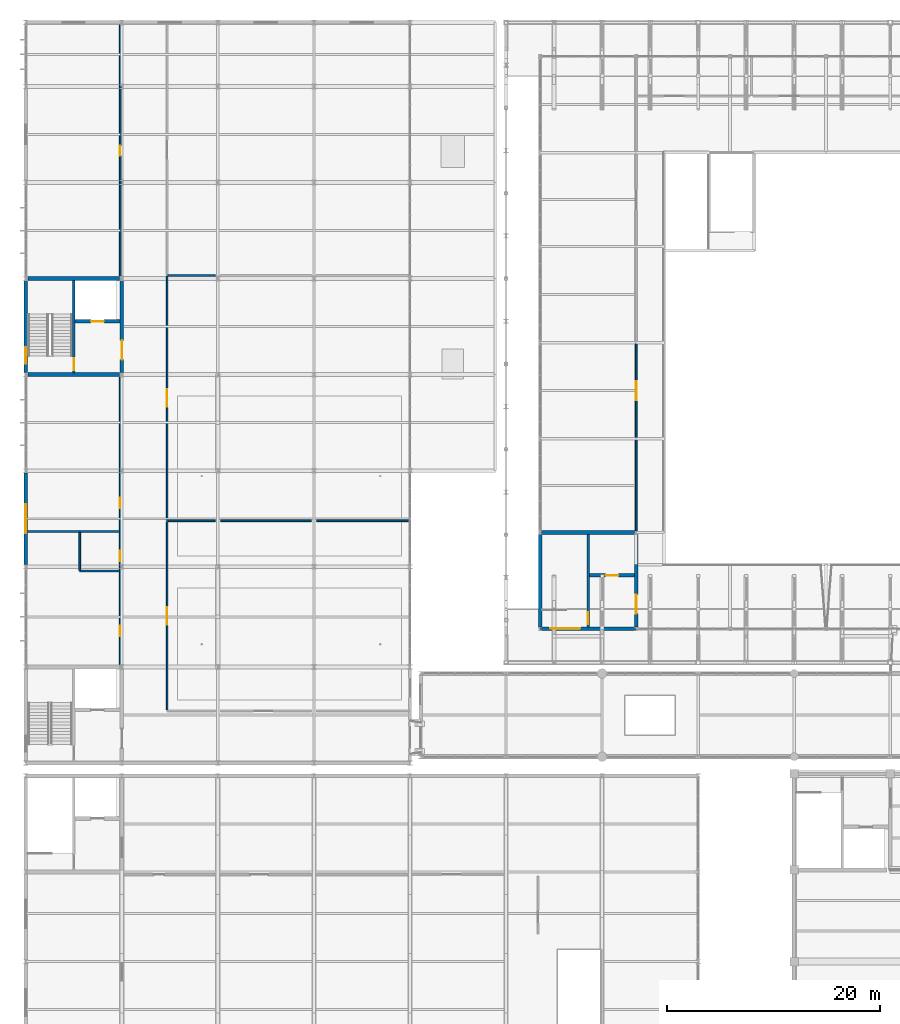
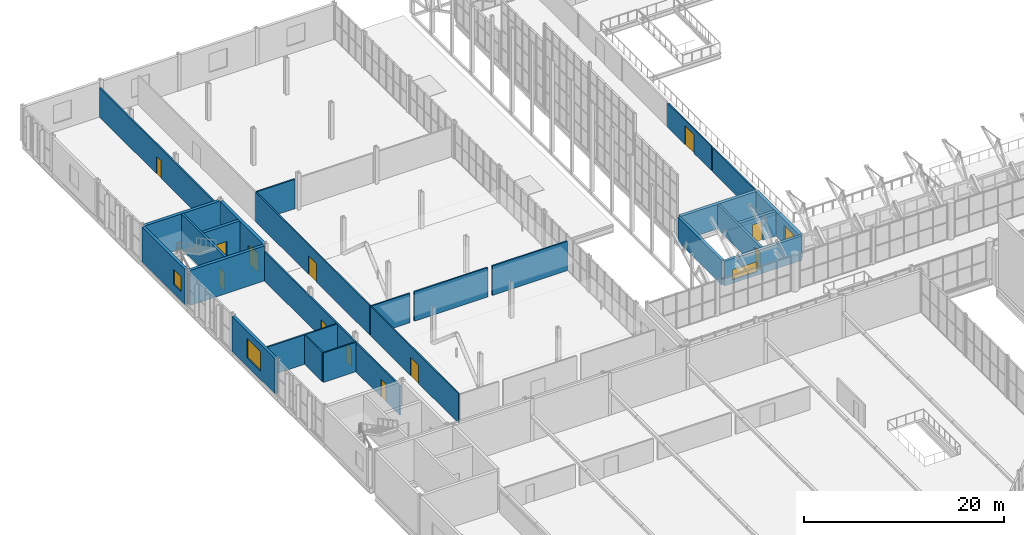
# One storey, part 114 of 134: 26 walls, 13 doors, 3 windows, 16 openings.
"""IFC4 building model written with IfcOpenShell, lengths in metres."""

from ifc_helpers import new_model, si_unit, direction, frame, frame_2d, origin, place, context, subcontext, project, spatial, rectangle, extrude, material, layer, layer_set, type_object, element, fill, save


model = new_model("IFC4")

# Units and contexts
model_context = context("Model", 3, precision=1e-05, world=origin(), true_north=direction((0.0, 1.0)))
body_context = subcontext(model_context, "Body", "Model", "MODEL_VIEW")
ifc_project = project(units=[si_unit("LENGTHUNIT", "METRE"), si_unit("AREAUNIT", "SQUARE_METRE"), si_unit("VOLUMEUNIT", "CUBIC_METRE"), si_unit("PLANEANGLEUNIT", "RADIAN"), si_unit("MASSUNIT", "GRAM", prefix="KILO")], contexts=[model_context])

# Site, building, storey
site_placement = place(None, origin())
site = spatial("IfcSite", under=ifc_project, at=site_placement, CompositionType="ELEMENT")
building_placement = place(site_placement, origin())
building = spatial("IfcBuilding", under=site, at=building_placement, Name="Cazmaro Siding Exhibition Halls", CompositionType="ELEMENT")
storey_placement = place(building_placement, frame((0.0, 0.0, 12.0)))
storey = spatial("IfcBuildingStorey", under=building, at=storey_placement, Name="L02", CompositionType="ELEMENT", Elevation=12.0)

# Wall, opening, window
ifc_material_1 = material(Name="Concrete f'c 45 MPa", Category="concrete")
ifc_layer_1 = layer(ifc_material_1, 0.320068359375)
ifc_layer_set_1 = layer_set([ifc_layer_1], Name="Concrete f'c 45 MPa")
wall_type_1 = type_object("IfcWallType", Name="EW-01", PredefinedType="STANDARD", material=ifc_layer_set_1)
wall_1_placement = place(storey_placement, frame((57.18798828125, 67.199951171875, 0.0), z_axis=(0.0, 0.0, 1.0), x_axis=(-1.0, 0.0, 0.0)))
wall_1 = element("IfcWall", 1, at=wall_1_placement, inside=storey, type_object=wall_type_1, Name="Hall A South Core Cap Wall EW-01 WL-E0003", PredefinedType="STANDARD", context=body_context, shape_type="SweptSolid", body=[
    extrude(rectangle(XDim=8.97607421875, YDim=0.320068359375, at=frame_2d((4.488037109375, 0.0))), origin(), (0.0, 0.0, 1.0), 3.0),
])
opening_1_placement = place(wall_1_placement, frame((5.22607421875, 0.0, 0.39990234375)))
opening_1 = element("IfcOpeningElement", 2, at=opening_1_placement, cuts=wall_1, Name="Opening W-002", PredefinedType="OPENING", context=body_context, shape_type="SweptSolid", body=[
    extrude(rectangle(XDim=2.800048828125, YDim=1.25, at=frame_2d((1.39990234375, 0.625))), frame((0.0, 0.169921875, 0.0), z_axis=(0.0, -1.0, 0.0), x_axis=(1.0, 0.0, 0.0)), (0.0, 0.0, 1.0), 0.340087890625),
])
ifc_material_2 = material(Name="Thermally Broken Aluminum Low-E Window Unit", Category="aluminium")
window_type_1 = type_object("IfcWindowType", Name="WT-19", PartitioningType="SINGLE_PANEL", PredefinedType="WINDOW", material=ifc_material_2)
window_1_placement = place(opening_1_placement, origin())
window_1 = element("IfcWindow", 3, at=window_1_placement, inside=storey, type_object=window_type_1, Name="Window W-002 (WT-19)", OverallHeight=1.25, OverallWidth=2.800048828125, PartitioningType="SINGLE_PANEL", PredefinedType="WINDOW", context=body_context, shape_type="SweptSolid", body=[
    extrude(rectangle(XDim=2.800048828125, YDim=1.25, at=frame_2d((1.39990234375, 0.625))), frame((0.0, 0.030029296875, 0.0), z_axis=(0.0, -1.0, 0.0), x_axis=(1.0, 0.0, 0.0)), (0.0, 0.0, 1.0), 0.06005859375),
])
fill(opening_1, window_1)

# Wall
wall_2_placement = place(storey_placement, frame((48.199951171875, 67.346923828125, 0.0), z_axis=(0.0, 0.0, 1.0), x_axis=(0.0, 1.0, 0.0)))
element("IfcWall", 4, at=wall_2_placement, inside=storey, type_object=wall_type_1, Name="Hall A Core End Wall L02 EW-01 WL-E0032", PredefinedType="STANDARD", context=body_context, shape_type="SweptSolid", body=[
    extrude(rectangle(XDim=8.72705078125, YDim=0.320068359375, at=frame_2d((4.363525390625, 0.0))), origin(), (0.0, 0.0, 1.0), 3.0),
])

# Wall, opening, window
wall_3_placement = place(storey_placement, frame((0.0, 73.194091796875, 0.0), z_axis=(0.0, 0.0, 1.0), x_axis=(0.0, 1.0, 0.0)))
wall_3 = element("IfcWall", 5, at=wall_3_placement, inside=storey, type_object=wall_type_1, Name="West Wing Street Pier Wall L02 EW-01 WL-E0282", PredefinedType="STANDARD", context=body_context, shape_type="SweptSolid", body=[
    extrude(rectangle(XDim=8.61181640625, YDim=0.320068359375, at=frame_2d((4.305908203125, 0.0))), origin(), (0.0, 0.0, 1.0), 4.280029296875),
])
opening_2_placement = place(wall_3_placement, frame((2.9560546875, 0.0, 1.0)))
opening_2 = element("IfcOpeningElement", 6, at=opening_2_placement, cuts=wall_3, Name="Opening W-089", PredefinedType="OPENING", context=body_context, shape_type="SweptSolid", body=[
    extrude(rectangle(XDim=2.699951171875, YDim=2.39990234375, at=frame_2d((1.35009765625, 1.199951171875))), frame((0.0, 0.169921875, 0.0), z_axis=(0.0, -1.0, 0.0), x_axis=(1.0, 0.0, 0.0)), (0.0, 0.0, 1.0), 0.340087890625),
])
ifc_material_3 = material(Name="Thermally Broken Aluminum Low-E Window Unit", Category="aluminium")
window_type_2 = type_object("IfcWindowType", Name="WT-09", PartitioningType="SINGLE_PANEL", PredefinedType="WINDOW", material=ifc_material_3)
window_2_placement = place(opening_2_placement, origin())
window_2 = element("IfcWindow", 7, at=window_2_placement, inside=storey, type_object=window_type_2, Name="Window W-089 (WT-09)", OverallHeight=2.39990234375, OverallWidth=2.699951171875, PartitioningType="SINGLE_PANEL", PredefinedType="WINDOW", context=body_context, shape_type="SweptSolid", body=[
    extrude(rectangle(XDim=2.699951171875, YDim=2.39990234375, at=frame_2d((1.35009765625, 1.199951171875))), frame((0.0, 0.030029296875, 0.0), z_axis=(0.0, -1.0, 0.0), x_axis=(1.0, 0.0, 0.0)), (0.0, 0.0, 1.0), 0.06005859375),
])
fill(opening_2, window_2)

wall_4_placement = place(storey_placement, frame((0.0, 91.194091796875, 0.0), z_axis=(0.0, 0.0, 1.0), x_axis=(0.0, 1.0, 0.0)))
wall_4 = element("IfcWall", 8, at=wall_4_placement, inside=storey, type_object=wall_type_1, Name="West Wing Core Street Wall L02 EW-01 WL-E0283", PredefinedType="STANDARD", context=body_context, shape_type="SweptSolid", body=[
    extrude(rectangle(XDim=8.61181640625, YDim=0.320068359375, at=frame_2d((4.305908203125, 0.0))), origin(), (0.0, 0.0, 1.0), 4.280029296875),
])
opening_3_placement = place(wall_4_placement, frame((0.85009765625, 0.0, 1.10009765625)))
opening_3 = element("IfcOpeningElement", 9, at=opening_3_placement, cuts=wall_4, Name="Opening W-090", PredefinedType="OPENING", context=body_context, shape_type="SweptSolid", body=[
    extrude(rectangle(XDim=1.5, YDim=1.800048828125, at=frame_2d((0.75, 0.89990234375))), frame((0.0, 0.169921875, 0.0), z_axis=(0.0, -1.0, 0.0), x_axis=(1.0, 0.0, 0.0)), (0.0, 0.0, 1.0), 0.340087890625),
])
ifc_material_4 = material(Name="Thermally Broken Aluminum Low-E Window Unit", Category="aluminium")
window_type_3 = type_object("IfcWindowType", Name="WT-01", PartitioningType="SINGLE_PANEL", PredefinedType="WINDOW", material=ifc_material_4)
window_3_placement = place(opening_3_placement, origin())
window_3 = element("IfcWindow", 10, at=window_3_placement, inside=storey, type_object=window_type_3, Name="Window W-090 (WT-01)", OverallHeight=1.800048828125, OverallWidth=1.5, PartitioningType="SINGLE_PANEL", PredefinedType="WINDOW", context=body_context, shape_type="SweptSolid", body=[
    extrude(rectangle(XDim=1.5, YDim=1.800048828125, at=frame_2d((0.75, 0.89990234375))), frame((0.0, 0.030029296875, 0.0), z_axis=(0.0, -1.0, 0.0), x_axis=(1.0, 0.0, 0.0)), (0.0, 0.0, 1.0), 0.06005859375),
])
fill(opening_3, window_3)

# Wall, opening, door
ifc_material_5 = material(Name="Fire-Rated Gypsum Board on Cold-Formed Steel Studs", Category="steel")
ifc_layer_2 = layer(ifc_material_5, 0.14501953125)
ifc_layer_set_2 = layer_set([ifc_layer_2], Name="Fire-Rated Gypsum Board on Cold-Formed Steel Studs")
wall_type_2 = type_object("IfcWallType", Name="PW-01", PredefinedType="PARTITIONING", material=ifc_layer_set_2)
wall_5_placement = place(storey_placement, frame((13.25, 59.580078125, 0.0), z_axis=(0.0, 0.0, 1.0), x_axis=(0.0, 1.0, 0.0)))
wall_5 = element("IfcWall", 11, at=wall_5_placement, inside=storey, type_object=wall_type_2, Name="West Wing East Corridor Wall L02 PW-01 WL-I0243", PredefinedType="PARTITIONING", context=body_context, shape_type="SweptSolid", body=[
    extrude(rectangle(XDim=17.639892578125, YDim=0.14501953125, at=frame_2d((8.81982421875, 0.0))), origin(), (0.0, 0.0, 1.0), 3.60009765625),
])
opening_4_placement = place(wall_5_placement, frame((7.9951171875, 0.0, 0.0)))
opening_4 = element("IfcOpeningElement", 12, at=opening_4_placement, cuts=wall_5, Name="Opening D-I114", PredefinedType="OPENING", context=body_context, shape_type="SweptSolid", body=[
    extrude(rectangle(XDim=1.64990234375, YDim=2.25, at=frame_2d((0.824951171875, 1.125))), frame((0.0, 0.08251953125, 0.0), z_axis=(0.0, -1.0, 0.0), x_axis=(1.0, 0.0, 0.0)), (0.0, 0.0, 1.0), 0.1650390625),
])
ifc_material_6 = material(Name="Fire-Rated Painted Hollow Metal Door", Category="steel")
door_type_1 = type_object("IfcDoorType", Name="ID-05", OperationType="DOUBLE_DOOR_SINGLE_SWING", PredefinedType="DOOR", material=ifc_material_6)
door_1_placement = place(opening_4_placement, origin())
door_1 = element("IfcDoor", 13, at=door_1_placement, inside=storey, type_object=door_type_1, Name="Interior door D-I114 (ID-05)", OperationType="DOUBLE_DOOR_SINGLE_SWING", OverallHeight=2.25, OverallWidth=1.64990234375, PredefinedType="DOOR", context=body_context, shape_type="SweptSolid", body=[
    extrude(rectangle(XDim=1.64990234375, YDim=2.25, at=frame_2d((0.824951171875, 1.125))), frame((0.0, 0.02490234375, 0.0), z_axis=(0.0, -1.0, 0.0), x_axis=(1.0, 0.0, 0.0)), (0.0, 0.0, 1.0), 0.050048828125),
])
fill(opening_4, door_1)

wall_6_placement = place(storey_placement, frame((13.25, 77.3798828125, 0.0), z_axis=(0.0, 0.0, 1.0), x_axis=(0.0, 1.0, 0.0)))
wall_6 = element("IfcWall", 14, at=wall_6_placement, inside=storey, type_object=wall_type_2, Name="West Wing East Corridor Wall L02 PW-01 WL-I0244", PredefinedType="PARTITIONING", context=body_context, shape_type="SweptSolid", body=[
    extrude(rectangle(XDim=22.840087890625, YDim=0.14501953125, at=frame_2d((11.419921875, 0.0))), origin(), (0.0, 0.0, 1.0), 3.60009765625),
])
opening_5_placement = place(wall_6_placement, frame((10.594970703125, 0.0, 0.0)))
opening_5 = element("IfcOpeningElement", 15, at=opening_5_placement, cuts=wall_6, Name="Opening D-I115", PredefinedType="OPENING", context=body_context, shape_type="SweptSolid", body=[
    extrude(rectangle(XDim=1.64990234375, YDim=2.25, at=frame_2d((0.824951171875, 1.125))), frame((0.0, 0.08251953125, 0.0), z_axis=(0.0, -1.0, 0.0), x_axis=(1.0, 0.0, 0.0)), (0.0, 0.0, 1.0), 0.1650390625),
])
door_2_placement = place(opening_5_placement, origin())
door_2 = element("IfcDoor", 16, at=door_2_placement, inside=storey, type_object=door_type_1, Name="Interior door D-I115 (ID-05)", OperationType="DOUBLE_DOOR_SINGLE_SWING", OverallHeight=2.25, OverallWidth=1.64990234375, PredefinedType="DOOR", context=body_context, shape_type="SweptSolid", body=[
    extrude(rectangle(XDim=1.64990234375, YDim=2.25, at=frame_2d((0.824951171875, 1.125))), frame((0.0, 0.02490234375, 0.0), z_axis=(0.0, -1.0, 0.0), x_axis=(1.0, 0.0, 0.0)), (0.0, 0.0, 1.0), 0.050048828125),
])
fill(opening_5, door_2)

# Wall
wall_7_placement = place(storey_placement, frame((57.199951171875, 76.326904296875, 0.0), z_axis=(0.0, 0.0, 1.0), x_axis=(0.0, 1.0, 0.0)))
element("IfcWall", 17, at=wall_7_placement, inside=storey, type_object=wall_type_2, Name="Hall A West Mezzanine Lounge Wall L02 PW-01 WL-I0313", PredefinedType="PARTITIONING", context=body_context, shape_type="SweptSolid", body=[
    extrude(rectangle(XDim=8.546142578125, YDim=0.14501953125, at=frame_2d((4.27294921875, 0.0))), origin(), (0.0, 0.0, 1.0), 2.949951171875),
])

# Wall, opening, door
wall_8_placement = place(storey_placement, frame((57.199951171875, 85.126953125, 0.0), z_axis=(0.0, 0.0, 1.0), x_axis=(0.0, 1.0, 0.0)))
wall_8 = element("IfcWall", 18, at=wall_8_placement, inside=storey, type_object=wall_type_2, Name="Hall A West Mezzanine Lounge Wall L02 PW-01 WL-I0315", PredefinedType="PARTITIONING", context=body_context, shape_type="SweptSolid", body=[
    extrude(rectangle(XDim=8.74609375, YDim=0.14501953125, at=frame_2d((4.373046875, 0.0))), origin(), (0.0, 0.0, 1.0), 2.949951171875),
])
opening_6_placement = place(wall_8_placement, frame((3.472900390625, 0.0, 0.0)))
opening_6 = element("IfcOpeningElement", 19, at=opening_6_placement, cuts=wall_8, Name="Opening D-I150", PredefinedType="OPENING", context=body_context, shape_type="SweptSolid", body=[
    extrude(rectangle(XDim=1.800048828125, YDim=2.300048828125, at=frame_2d((0.89990234375, 1.14990234375))), frame((0.0, 0.08251953125, 0.0), z_axis=(0.0, -1.0, 0.0), x_axis=(1.0, 0.0, 0.0)), (0.0, 0.0, 1.0), 0.1650390625),
])
ifc_material_7 = material(Name="Fire-Rated Painted Hollow Metal Door", Category="steel")
door_type_2 = type_object("IfcDoorType", Name="ID-02", OperationType="DOUBLE_DOOR_SINGLE_SWING", PredefinedType="DOOR", material=ifc_material_7)
door_3_placement = place(opening_6_placement, origin())
door_3 = element("IfcDoor", 20, at=door_3_placement, inside=storey, type_object=door_type_2, Name="Interior door D-I150 (ID-02)", OperationType="DOUBLE_DOOR_SINGLE_SWING", OverallHeight=2.300048828125, OverallWidth=1.800048828125, PredefinedType="DOOR", context=body_context, shape_type="SweptSolid", body=[
    extrude(rectangle(XDim=1.800048828125, YDim=2.300048828125, at=frame_2d((0.89990234375, 1.14990234375))), frame((0.0, 0.02490234375, 0.0), z_axis=(0.0, -1.0, 0.0), x_axis=(1.0, 0.0, 0.0)), (0.0, 0.0, 1.0), 0.050048828125),
])
fill(opening_6, door_3)

# Walls
ifc_material_8 = material(Name="Moisture-Resistant Gypsum Board on Acoustic Steel Studs", Category="steel")
ifc_layer_3 = layer(ifc_material_8, 0.1650390625)
ifc_layer_set_3 = layer_set([ifc_layer_3], Name="Moisture-Resistant Gypsum Board on Acoustic Steel Studs")
wall_type_3 = type_object("IfcWallType", Name="PW-02", PredefinedType="PARTITIONING", material=ifc_layer_set_3)
wall_9_placement = place(storey_placement, frame((13.320068359375, 77.300048828125, 0.0), z_axis=(0.0, 0.0, 1.0), x_axis=(1.0, 0.0, 0.0)))
element("IfcWall", 21, at=wall_9_placement, inside=storey, type_object=wall_type_3, Name="West Wing East Room Divider L02 PW-02 WL-I0246", PredefinedType="PARTITIONING", context=body_context, shape_type="SweptSolid", body=[
    extrude(rectangle(XDim=4.429931640625, YDim=0.1650390625, at=frame_2d((2.21484375, 0.0))), origin(), (0.0, 0.0, 1.0), 3.60009765625),
])
wall_10_placement = place(storey_placement, frame((18.25, 77.300048828125, 0.0), z_axis=(0.0, 0.0, 1.0), x_axis=(1.0, 0.0, 0.0)))
element("IfcWall", 22, at=wall_10_placement, inside=storey, type_object=wall_type_3, Name="West Wing East Room Divider L02 PW-02 WL-I0247", PredefinedType="PARTITIONING", context=body_context, shape_type="SweptSolid", body=[
    extrude(rectangle(XDim=8.5, YDim=0.1650390625, at=frame_2d((4.25, 0.0))), origin(), (0.0, 0.0, 1.0), 3.60009765625),
])
wall_11_placement = place(storey_placement, frame((27.25, 77.300048828125, 0.0), z_axis=(0.0, 0.0, 1.0), x_axis=(1.0, 0.0, 0.0)))
element("IfcWall", 23, at=wall_11_placement, inside=storey, type_object=wall_type_3, Name="West Wing East Room Divider L02 PW-02 WL-I0248", PredefinedType="PARTITIONING", context=body_context, shape_type="SweptSolid", body=[
    extrude(rectangle(XDim=8.68994140625, YDim=0.1650390625, at=frame_2d((4.344970703125, 0.0))), origin(), (0.0, 0.0, 1.0), 3.60009765625),
])
wall_12_placement = place(storey_placement, frame((13.320068359375, 100.300048828125, 0.0), z_axis=(0.0, 0.0, 1.0), x_axis=(1.0, 0.0, 0.0)))
element("IfcWall", 24, at=wall_12_placement, inside=storey, type_object=wall_type_3, Name="West Wing East Room Divider L02 PW-02 WL-I0249", PredefinedType="PARTITIONING", context=body_context, shape_type="SweptSolid", body=[
    extrude(rectangle(XDim=4.429931640625, YDim=0.1650390625, at=frame_2d((2.21484375, 0.0))), origin(), (0.0, 0.0, 1.0), 3.60009765625),
])

# Wall, openings, doors
wall_13_placement = place(storey_placement, frame((8.85009765625, 63.780029296875, 0.0), z_axis=(0.0, 0.0, 1.0), x_axis=(0.0, 1.0, 0.0)))
wall_13 = element("IfcWall", 25, at=wall_13_placement, inside=storey, type_object=wall_type_3, Name="West Wing West Service Wall L02 PW-02 WL-I0252", PredefinedType="PARTITIONING", context=body_context, shape_type="SweptSolid", body=[
    extrude(rectangle(XDim=27.0400390625, YDim=0.1650390625, at=frame_2d((13.52001953125, 0.0))), origin(), (0.0, 0.0, 1.0), 3.60009765625),
])
opening_7_placement = place(wall_13_placement, frame((2.719970703125, 0.0, 0.0)))
opening_7 = element("IfcOpeningElement", 26, at=opening_7_placement, cuts=wall_13, Name="Opening D-I117", PredefinedType="OPENING", context=body_context, shape_type="SweptSolid", body=[
    extrude(rectangle(XDim=0.97998046875, YDim=2.14990234375, at=frame_2d((0.489990234375, 1.074951171875))), frame((0.0, 0.092529296875, 0.0), z_axis=(0.0, -1.0, 0.0), x_axis=(1.0, 0.0, 0.0)), (0.0, 0.0, 1.0), 0.18505859375),
])
opening_8_placement = place(wall_13_placement, frame((9.719970703125, 0.0, 0.0)))
opening_8 = element("IfcOpeningElement", 27, at=opening_8_placement, cuts=wall_13, Name="Opening D-I118", PredefinedType="OPENING", context=body_context, shape_type="SweptSolid", body=[
    extrude(rectangle(XDim=1.02001953125, YDim=2.159912109375, at=frame_2d((0.510009765625, 1.080078125))), frame((0.0, 0.092529296875, 0.0), z_axis=(0.0, -1.0, 0.0), x_axis=(1.0, 0.0, 0.0)), (0.0, 0.0, 1.0), 0.18505859375),
])
opening_9_placement = place(wall_13_placement, frame((14.719970703125, 0.0, 0.0)))
opening_9 = element("IfcOpeningElement", 28, at=opening_9_placement, cuts=wall_13, Name="Opening D-I119", PredefinedType="OPENING", context=body_context, shape_type="SweptSolid", body=[
    extrude(rectangle(XDim=0.949951171875, YDim=2.1201171875, at=frame_2d((0.47509765625, 1.06005859375))), frame((0.0, 0.092529296875, 0.0), z_axis=(0.0, -1.0, 0.0), x_axis=(1.0, 0.0, 0.0)), (0.0, 0.0, 1.0), 0.18505859375),
])
ifc_material_9 = material(Name="Fire-Rated Painted Hollow Metal Door", Category="steel")
door_type_3 = type_object("IfcDoorType", Name="ID-03", OperationType="NOTDEFINED", PredefinedType="DOOR", material=ifc_material_9)
door_4_placement = place(opening_7_placement, origin())
door_4 = element("IfcDoor", 29, at=door_4_placement, inside=storey, type_object=door_type_3, Name="Interior door D-I117 (ID-03)", OperationType="SINGLE_SWING_LEFT", OverallHeight=2.14990234375, OverallWidth=0.97998046875, PredefinedType="DOOR", context=body_context, shape_type="SweptSolid", body=[
    extrude(rectangle(XDim=0.97998046875, YDim=2.14990234375, at=frame_2d((0.489990234375, 1.074951171875))), frame((0.0, 0.02490234375, 0.0), z_axis=(0.0, -1.0, 0.0), x_axis=(1.0, 0.0, 0.0)), (0.0, 0.0, 1.0), 0.050048828125),
])
fill(opening_7, door_4)
ifc_material_10 = material(Name="Fire-Rated Painted Hollow Metal Door", Category="steel")
door_type_4 = type_object("IfcDoorType", Name="ID-04", OperationType="NOTDEFINED", PredefinedType="DOOR", material=ifc_material_10)
door_5_placement = place(opening_9_placement, origin())
door_5 = element("IfcDoor", 30, at=door_5_placement, inside=storey, type_object=door_type_4, Name="Interior door D-I119 (ID-04)", OperationType="SINGLE_SWING_LEFT", OverallHeight=2.1201171875, OverallWidth=0.949951171875, PredefinedType="DOOR", context=body_context, shape_type="SweptSolid", body=[
    extrude(rectangle(XDim=0.949951171875, YDim=2.1201171875, at=frame_2d((0.47509765625, 1.06005859375))), frame((0.0, 0.02490234375, 0.0), z_axis=(0.0, -1.0, 0.0), x_axis=(1.0, 0.0, 0.0)), (0.0, 0.0, 1.0), 0.050048828125),
])
fill(opening_9, door_5)
ifc_material_11 = material(Name="Fire-Rated Painted Hollow Metal Door", Category="steel")
door_type_5 = type_object("IfcDoorType", Name="ID-07", OperationType="NOTDEFINED", PredefinedType="DOOR", material=ifc_material_11)
door_6_placement = place(opening_8_placement, origin())
door_6 = element("IfcDoor", 31, at=door_6_placement, inside=storey, type_object=door_type_5, Name="Interior door D-I118 (ID-07)", OperationType="SINGLE_SWING_RIGHT", OverallHeight=2.159912109375, OverallWidth=1.02001953125, PredefinedType="DOOR", context=body_context, shape_type="SweptSolid", body=[
    extrude(rectangle(XDim=1.02001953125, YDim=2.159912109375, at=frame_2d((0.510009765625, 1.080078125))), frame((0.0, 0.02490234375, 0.0), z_axis=(0.0, -1.0, 0.0), x_axis=(1.0, 0.0, 0.0)), (0.0, 0.0, 1.0), 0.050048828125),
])
fill(opening_8, door_6)

# Wall, opening, door
wall_14_placement = place(storey_placement, frame((8.85009765625, 100.179931640625, 0.0), z_axis=(0.0, 0.0, 1.0), x_axis=(0.0, 1.0, 0.0)))
wall_14 = element("IfcWall", 32, at=wall_14_placement, inside=storey, type_object=wall_type_3, Name="West Wing West Service Wall L02 PW-02 WL-I0253", PredefinedType="PARTITIONING", context=body_context, shape_type="SweptSolid", body=[
    extrude(rectangle(XDim=23.650146484375, YDim=0.1650390625, at=frame_2d((11.8251953125, 0.0))), origin(), (0.0, 0.0, 1.0), 3.60009765625),
])
opening_10_placement = place(wall_14_placement, frame((11.324951171875, 0.0, 0.0)))
opening_10 = element("IfcOpeningElement", 33, at=opening_10_placement, cuts=wall_14, Name="Opening D-I120", PredefinedType="OPENING", context=body_context, shape_type="SweptSolid", body=[
    extrude(rectangle(XDim=0.949951171875, YDim=2.1201171875, at=frame_2d((0.47509765625, 1.06005859375))), frame((0.0, 0.092529296875, 0.0), z_axis=(0.0, -1.0, 0.0), x_axis=(1.0, 0.0, 0.0)), (0.0, 0.0, 1.0), 0.18505859375),
])
door_7_placement = place(opening_10_placement, origin())
door_7 = element("IfcDoor", 34, at=door_7_placement, inside=storey, type_object=door_type_4, Name="Interior door D-I120 (ID-04)", OperationType="SINGLE_SWING_RIGHT", OverallHeight=2.1201171875, OverallWidth=0.949951171875, PredefinedType="DOOR", context=body_context, shape_type="SweptSolid", body=[
    extrude(rectangle(XDim=0.949951171875, YDim=2.1201171875, at=frame_2d((0.47509765625, 1.06005859375))), frame((0.0, 0.02490234375, 0.0), z_axis=(0.0, -1.0, 0.0), x_axis=(1.0, 0.0, 0.0)), (0.0, 0.0, 1.0), 0.050048828125),
])
fill(opening_10, door_7)

# Walls
wall_15_placement = place(storey_placement, frame((5.050048828125, 72.60009765625, 0.0), z_axis=(0.0, 0.0, 1.0), x_axis=(1.0, 0.0, 0.0)))
element("IfcWall", 35, at=wall_15_placement, inside=storey, type_object=wall_type_3, Name="Accessible WC South Partition L02 PW-02 WL-I0254", PredefinedType="PARTITIONING", context=body_context, shape_type="SweptSolid", body=[
    extrude(rectangle(XDim=3.72998046875, YDim=0.1650390625, at=frame_2d((1.864990234375, 0.0))), origin(), (0.0, 0.0, 1.0), 3.60009765625),
])
wall_16_placement = place(storey_placement, frame((5.050048828125, 72.679931640625, 0.0), z_axis=(0.0, 0.0, 1.0), x_axis=(0.0, 1.0, 0.0)))
element("IfcWall", 36, at=wall_16_placement, inside=storey, type_object=wall_type_3, Name="Accessible WC West Partition L02 PW-02 WL-I0255", PredefinedType="PARTITIONING", context=body_context, shape_type="SweptSolid", body=[
    extrude(rectangle(XDim=3.5400390625, YDim=0.1650390625, at=frame_2d((1.77001953125, 0.0))), origin(), (0.0, 0.0, 1.0), 3.60009765625),
])
wall_17_placement = place(storey_placement, frame((0.10009765625, 76.300048828125, 0.0), z_axis=(0.0, 0.0, 1.0), x_axis=(1.0, 0.0, 0.0)))
element("IfcWall", 37, at=wall_17_placement, inside=storey, type_object=wall_type_3, Name="West Wing Restroom Divider L02 PW-02 WL-I0256", PredefinedType="PARTITIONING", context=body_context, shape_type="SweptSolid", body=[
    extrude(rectangle(XDim=8.679931640625, YDim=0.1650390625, at=frame_2d((4.33984375, 0.0))), origin(), (0.0, 0.0, 1.0), 3.60009765625),
])

# Wall, opening, door
ifc_material_12 = material(Name="Concrete f'c 50 MPa", Category="concrete")
ifc_layer_4 = layer(ifc_material_12, 0.360107421875)
ifc_layer_set_4 = layer_set([ifc_layer_4], Name="Concrete f'c 50 MPa")
wall_type_4 = type_object("IfcWallType", Name="SW-01", PredefinedType="SHEAR", material=ifc_layer_set_4)
wall_18_placement = place(storey_placement, frame((57.199951171875, 67.347900390625, 0.0), z_axis=(0.0, 0.0, 1.0), x_axis=(0.0, 1.0, 0.0)))
wall_18 = element("IfcWall", 38, at=wall_18_placement, inside=storey, type_object=wall_type_4, Name="Core C1 East Shear Wall SW-01 WL-I0009", PredefinedType="SHEAR", context=body_context, shape_type="SweptSolid", body=[
    extrude(rectangle(XDim=8.72509765625, YDim=0.360107421875, at=frame_2d((4.362548828125, 0.0))), origin(), (0.0, 0.0, 1.0), 3.0),
])
opening_11_placement = place(wall_18_placement, frame((1.251953125, 0.0, 0.0)))
opening_11 = element("IfcOpeningElement", 39, at=opening_11_placement, cuts=wall_18, Name="Opening D-I006", PredefinedType="OPENING", context=body_context, shape_type="SweptSolid", body=[
    extrude(rectangle(XDim=1.800048828125, YDim=2.300048828125, at=frame_2d((0.89990234375, 1.14990234375))), frame((0.0, 0.18994140625, 0.0), z_axis=(0.0, -1.0, 0.0), x_axis=(1.0, 0.0, 0.0)), (0.0, 0.0, 1.0), 0.380126953125),
])
door_8_placement = place(opening_11_placement, origin())
door_8 = element("IfcDoor", 40, at=door_8_placement, inside=storey, type_object=door_type_2, Name="Interior door D-I006 (ID-02)", OperationType="DOUBLE_DOOR_SINGLE_SWING", OverallHeight=2.300048828125, OverallWidth=1.800048828125, PredefinedType="DOOR", context=body_context, shape_type="SweptSolid", body=[
    extrude(rectangle(XDim=1.800048828125, YDim=2.300048828125, at=frame_2d((0.89990234375, 1.14990234375))), frame((0.0, 0.02490234375, 0.0), z_axis=(0.0, -1.0, 0.0), x_axis=(1.0, 0.0, 0.0)), (0.0, 0.0, 1.0), 0.050048828125),
])
fill(opening_11, door_8)

# Wall
wall_19_placement = place(storey_placement, frame((48.323974609375, 76.199951171875, 0.0), z_axis=(0.0, 0.0, 1.0), x_axis=(1.0, 0.0, 0.0)))
element("IfcWall", 41, at=wall_19_placement, inside=storey, type_object=wall_type_4, Name="Core C1 North Shear Wall SW-01 WL-I0010", PredefinedType="SHEAR", context=body_context, shape_type="SweptSolid", body=[
    extrude(rectangle(XDim=8.751953125, YDim=0.360107421875, at=frame_2d((4.3759765625, 0.0))), origin(), (0.0, 0.0, 1.0), 3.0),
])

# Wall, opening, door
wall_20_placement = place(storey_placement, frame((52.81494140625, 72.199951171875, 0.0), z_axis=(0.0, 0.0, 1.0), x_axis=(1.0, 0.0, 0.0)))
wall_20 = element("IfcWall", 42, at=wall_20_placement, inside=storey, type_object=wall_type_4, Name="Core C1 Lift Shaft Wall SW-01 WL-I0012", PredefinedType="SHEAR", context=body_context, shape_type="SweptSolid", body=[
    extrude(rectangle(XDim=4.219970703125, YDim=0.360107421875, at=frame_2d((2.10986328125, 0.0))), origin(), (0.0, 0.0, 1.0), 3.0),
])
opening_12_placement = place(wall_20_placement, frame((1.510009765625, 0.0, 0.0)))
opening_12 = element("IfcOpeningElement", 43, at=opening_12_placement, cuts=wall_20, Name="Opening LD-003", PredefinedType="OPENING", context=body_context, shape_type="SweptSolid", body=[
    extrude(rectangle(XDim=1.199951171875, YDim=2.300048828125, at=frame_2d((0.60009765625, 1.14990234375))), frame((0.0, 0.18994140625, 0.0), z_axis=(0.0, -1.0, 0.0), x_axis=(1.0, 0.0, 0.0)), (0.0, 0.0, 1.0), 0.380126953125),
])
ifc_material_13 = material(Name="Stainless Steel Elevator Landing Door", Category="steel")
door_type_6 = type_object("IfcDoorType", Name="LD-01", OperationType="SLIDING_TO_LEFT", PredefinedType="DOOR", material=ifc_material_13)
door_9_placement = place(opening_12_placement, origin())
door_9 = element("IfcDoor", 44, at=door_9_placement, inside=storey, type_object=door_type_6, Name="Interior door LD-003 (LD-01)", OperationType="SLIDING_TO_LEFT", OverallHeight=2.300048828125, OverallWidth=1.199951171875, PredefinedType="DOOR", context=body_context, shape_type="SweptSolid", body=[
    extrude(rectangle(XDim=1.199951171875, YDim=2.300048828125, at=frame_2d((0.60009765625, 1.14990234375))), frame((0.0, 0.02490234375, 0.0), z_axis=(0.0, -1.0, 0.0), x_axis=(1.0, 0.0, 0.0)), (0.0, 0.0, 1.0), 0.050048828125),
])
fill(opening_12, door_9)

wall_21_placement = place(storey_placement, frame((9.0, 91.195068359375, 0.0), z_axis=(0.0, 0.0, 1.0), x_axis=(0.0, 1.0, 0.0)))
wall_21 = element("IfcWall", 45, at=wall_21_placement, inside=storey, type_object=wall_type_4, Name="Core C8 East Shear Wall SW-01 WL-I0109", PredefinedType="SHEAR", context=body_context, shape_type="SweptSolid", body=[
    extrude(rectangle(XDim=8.60986328125, YDim=0.360107421875, at=frame_2d((4.304931640625, 0.0))), origin(), (0.0, 0.0, 1.0), 4.280029296875),
])
opening_13_placement = place(wall_21_placement, frame((1.205078125, 0.0, 0.0)))
opening_13 = element("IfcOpeningElement", 46, at=opening_13_placement, cuts=wall_21, Name="Opening D-I054", PredefinedType="OPENING", context=body_context, shape_type="SweptSolid", body=[
    extrude(rectangle(XDim=1.800048828125, YDim=2.300048828125, at=frame_2d((0.89990234375, 1.14990234375))), frame((0.0, 0.18994140625, 0.0), z_axis=(0.0, -1.0, 0.0), x_axis=(1.0, 0.0, 0.0)), (0.0, 0.0, 1.0), 0.380126953125),
])
door_10_placement = place(opening_13_placement, origin())
door_10 = element("IfcDoor", 47, at=door_10_placement, inside=storey, type_object=door_type_2, Name="Interior door D-I054 (ID-02)", OperationType="DOUBLE_DOOR_SINGLE_SWING", OverallHeight=2.300048828125, OverallWidth=1.800048828125, PredefinedType="DOOR", context=body_context, shape_type="SweptSolid", body=[
    extrude(rectangle(XDim=1.800048828125, YDim=2.300048828125, at=frame_2d((0.89990234375, 1.14990234375))), frame((0.0, 0.02490234375, 0.0), z_axis=(0.0, -1.0, 0.0), x_axis=(1.0, 0.0, 0.0)), (0.0, 0.0, 1.0), 0.050048828125),
])
fill(opening_13, door_10)

# Walls
for number, where, z_axis, x_axis, name in (
    (48, (0.196044921875, 91.0, 0.0), (0.0, 0.0, 1.0), (1.0, 0.0, 0.0), "Core C8 South Shear Wall SW-01 WL-I0110"),
    (49, (0.196044921875, 100.0, 0.0), (0.0, 0.0, 1.0), (1.0, 0.0, 0.0), "Core C8 North Shear Wall SW-01 WL-I0111"),
):
    element("IfcWall", number, at=place(storey_placement, frame(where, z_axis=z_axis, x_axis=x_axis)), inside=storey, type_object=wall_type_4, Name=name, PredefinedType="SHEAR", context=body_context, shape_type="SweptSolid", body=[
        extrude(rectangle(XDim=8.60791015625, YDim=0.360107421875, at=frame_2d((4.303955078125, 0.0))), origin(), (0.0, 0.0, 1.0), 4.280029296875),
    ])

# Wall, opening, door
wall_22_placement = place(storey_placement, frame((4.614990234375, 96.0, 0.0), z_axis=(0.0, 0.0, 1.0), x_axis=(1.0, 0.0, 0.0)))
wall_22 = element("IfcWall", 50, at=wall_22_placement, inside=storey, type_object=wall_type_4, Name="Core C8 Lift Shaft Wall SW-01 WL-I0113", PredefinedType="SHEAR", context=body_context, shape_type="SweptSolid", body=[
    extrude(rectangle(XDim=4.219970703125, YDim=0.360107421875, at=frame_2d((2.10986328125, 0.0))), origin(), (0.0, 0.0, 1.0), 4.280029296875),
])
opening_14_placement = place(wall_22_placement, frame((1.510009765625, 0.0, 0.0)))
opening_14 = element("IfcOpeningElement", 51, at=opening_14_placement, cuts=wall_22, Name="Opening LD-027", PredefinedType="OPENING", context=body_context, shape_type="SweptSolid", body=[
    extrude(rectangle(XDim=1.199951171875, YDim=2.300048828125, at=frame_2d((0.60009765625, 1.14990234375))), frame((0.0, 0.18994140625, 0.0), z_axis=(0.0, -1.0, 0.0), x_axis=(1.0, 0.0, 0.0)), (0.0, 0.0, 1.0), 0.380126953125),
])
door_11_placement = place(opening_14_placement, origin())
door_11 = element("IfcDoor", 52, at=door_11_placement, inside=storey, type_object=door_type_6, Name="Interior door LD-027 (LD-01)", OperationType="SLIDING_TO_LEFT", OverallHeight=2.300048828125, OverallWidth=1.199951171875, PredefinedType="DOOR", context=body_context, shape_type="SweptSolid", body=[
    extrude(rectangle(XDim=1.199951171875, YDim=2.300048828125, at=frame_2d((0.60009765625, 1.14990234375))), frame((0.0, 0.02490234375, 0.0), z_axis=(0.0, -1.0, 0.0), x_axis=(1.0, 0.0, 0.0)), (0.0, 0.0, 1.0), 0.050048828125),
])
fill(opening_14, door_11)

ifc_material_14 = material(Name="Concrete f'c 50 MPa", Category="concrete")
ifc_layer_5 = layer(ifc_material_14, 0.25)
ifc_layer_set_5 = layer_set([ifc_layer_5], Name="Concrete f'c 50 MPa")
wall_type_5 = type_object("IfcWallType", Name="SW-02", PredefinedType="SHEAR", material=ifc_layer_set_5)
wall_23_placement = place(storey_placement, frame((52.699951171875, 67.364990234375, 0.0), z_axis=(0.0, 0.0, 1.0), x_axis=(0.0, 1.0, 0.0)))
wall_23 = element("IfcWall", 53, at=wall_23_placement, inside=storey, type_object=wall_type_5, Name="Core C1 Stair-Lobby Divider SW-02 WL-I0011", PredefinedType="SHEAR", context=body_context, shape_type="SweptSolid", body=[
    extrude(rectangle(XDim=8.669921875, YDim=0.25, at=frame_2d((4.3349609375, 0.0))), origin(), (0.0, 0.0, 1.0), 3.0),
])
opening_15_placement = place(wall_23_placement, frame((0.25, 0.0, 0.0)))
opening_15 = element("IfcOpeningElement", 54, at=opening_15_placement, cuts=wall_23, Name="Opening D-I005", PredefinedType="OPENING", context=body_context, shape_type="SweptSolid", body=[
    extrude(rectangle(XDim=1.10009765625, YDim=2.199951171875, at=frame_2d((0.550048828125, 1.10009765625))), frame((0.0, 0.135009765625, 0.0), z_axis=(0.0, -1.0, 0.0), x_axis=(1.0, 0.0, 0.0)), (0.0, 0.0, 1.0), 0.27001953125),
])
ifc_material_15 = material(Name="Fire-Rated Painted Hollow Metal Door", Category="steel")
door_type_7 = type_object("IfcDoorType", Name="ID-01", OperationType="NOTDEFINED", PredefinedType="DOOR", material=ifc_material_15)
door_12_placement = place(opening_15_placement, origin())
door_12 = element("IfcDoor", 55, at=door_12_placement, inside=storey, type_object=door_type_7, Name="Interior door D-I005 (ID-01)", OperationType="SINGLE_SWING_RIGHT", OverallHeight=2.199951171875, OverallWidth=1.10009765625, PredefinedType="DOOR", context=body_context, shape_type="SweptSolid", body=[
    extrude(rectangle(XDim=1.10009765625, YDim=2.199951171875, at=frame_2d((0.550048828125, 1.10009765625))), frame((0.0, 0.02490234375, 0.0), z_axis=(0.0, -1.0, 0.0), x_axis=(1.0, 0.0, 0.0)), (0.0, 0.0, 1.0), 0.050048828125),
])
fill(opening_15, door_12)

wall_24_placement = place(storey_placement, frame((4.5, 91.1650390625, 0.0), z_axis=(0.0, 0.0, 1.0), x_axis=(0.0, 1.0, 0.0)))
wall_24 = element("IfcWall", 56, at=wall_24_placement, inside=storey, type_object=wall_type_5, Name="Core C8 Stair-Lobby Divider SW-02 WL-I0112", PredefinedType="SHEAR", context=body_context, shape_type="SweptSolid", body=[
    extrude(rectangle(XDim=8.669921875, YDim=0.25, at=frame_2d((4.3349609375, 0.0))), origin(), (0.0, 0.0, 1.0), 4.280029296875),
])
opening_16_placement = place(wall_24_placement, frame((0.25, 0.0, 0.0)))
opening_16 = element("IfcOpeningElement", 57, at=opening_16_placement, cuts=wall_24, Name="Opening D-I053", PredefinedType="OPENING", context=body_context, shape_type="SweptSolid", body=[
    extrude(rectangle(XDim=1.10009765625, YDim=2.199951171875, at=frame_2d((0.550048828125, 1.10009765625))), frame((0.0, 0.135009765625, 0.0), z_axis=(0.0, -1.0, 0.0), x_axis=(1.0, 0.0, 0.0)), (0.0, 0.0, 1.0), 0.27001953125),
])
door_13_placement = place(opening_16_placement, origin())
door_13 = element("IfcDoor", 58, at=door_13_placement, inside=storey, type_object=door_type_7, Name="Interior door D-I053 (ID-01)", OperationType="SINGLE_SWING_RIGHT", OverallHeight=2.199951171875, OverallWidth=1.10009765625, PredefinedType="DOOR", context=body_context, shape_type="SweptSolid", body=[
    extrude(rectangle(XDim=1.10009765625, YDim=2.199951171875, at=frame_2d((0.550048828125, 1.10009765625))), frame((0.0, 0.02490234375, 0.0), z_axis=(0.0, -1.0, 0.0), x_axis=(1.0, 0.0, 0.0)), (0.0, 0.0, 1.0), 0.050048828125),
])
fill(opening_16, door_13)

save(model, "model.ifc")
